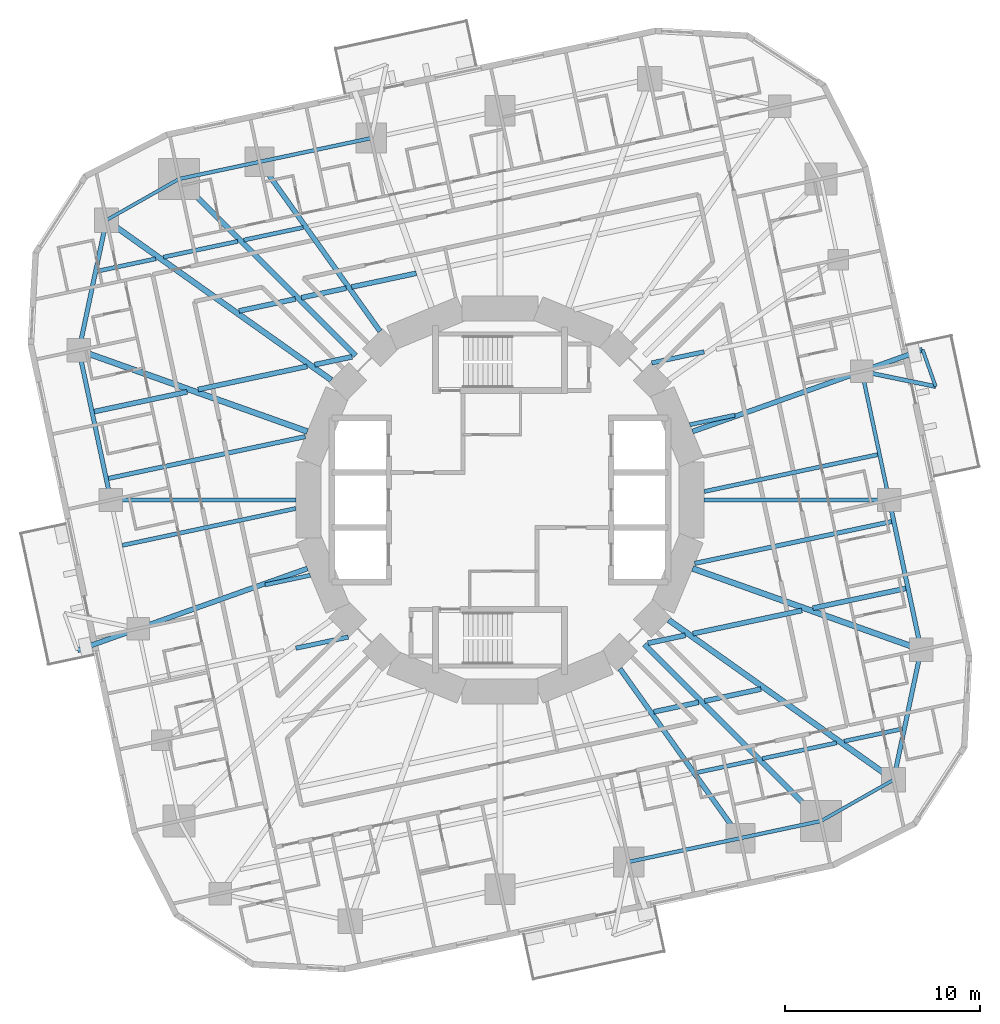
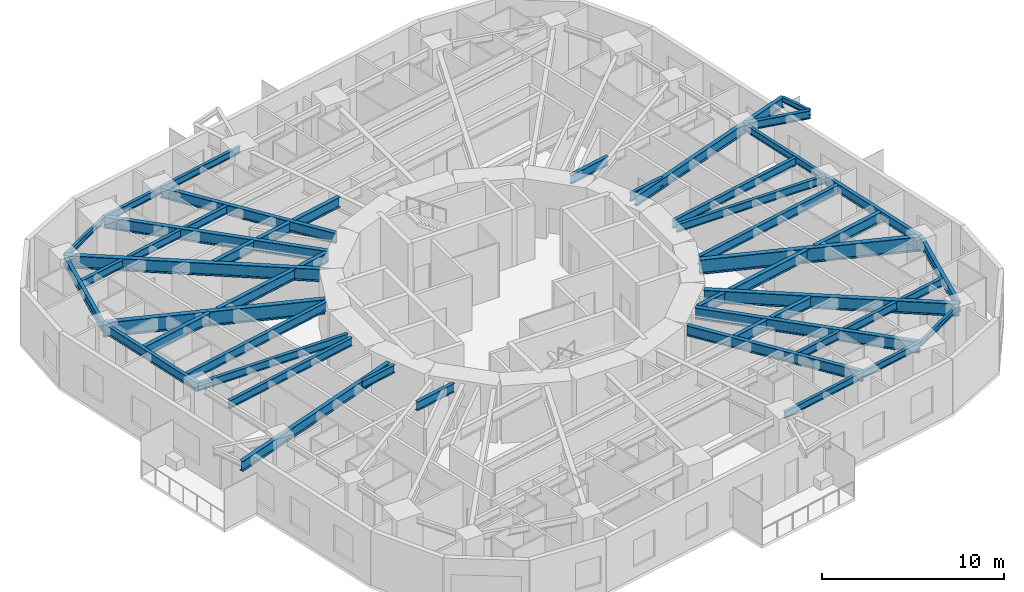
# One storey, part 2 of 14: 50 beams.
"""IFC4 building model written with IfcOpenShell, lengths in metres."""

from ifc_helpers import new_model, si_unit, direction, frame, origin, origin_2d, place, context, subcontext, project, spatial, i_section, extrude, material, material_profile, profile_set, type_object, element, save


model = new_model("IFC4")

# Units and contexts
model_context = context("Model", 3, precision=1e-05, world=origin(), true_north=direction((0.0, 1.0)))
body_context = subcontext(model_context, "Body", "Model", "MODEL_VIEW")
ifc_project = project(units=[si_unit("LENGTHUNIT", "METRE"), si_unit("AREAUNIT", "SQUARE_METRE"), si_unit("VOLUMEUNIT", "CUBIC_METRE"), si_unit("PLANEANGLEUNIT", "RADIAN"), si_unit("MASSUNIT", "GRAM", prefix="KILO")], contexts=[model_context])

# Site, building, storey
site_placement = place(None, origin())
site = spatial("IfcSite", under=ifc_project, at=site_placement, CompositionType="ELEMENT")
building_placement = place(site_placement, origin())
building = spatial("IfcBuilding", under=site, at=building_placement, Name="Nakasero Lantern House", CompositionType="ELEMENT")
storey_placement = place(building_placement, frame((0.0, 0.0, 105.0)))
storey = spatial("IfcBuildingStorey", under=building, at=storey_placement, Name="L25", CompositionType="ELEMENT", Elevation=105.0)

# Beams
ifc_material_1 = material(Name="Steel S355", Category="steel")
ifc_material_profile_1 = material_profile(ifc_material_1, i_section(OverallWidth=0.2138671875, OverallDepth=0.549072265625, WebThickness=0.0146484375, FlangeThickness=0.023681640625, FilletRadius=0.0126953125, at=origin_2d()), Name="UB 533x210x138")
ifc_profile_set_1 = profile_set([ifc_material_profile_1], Name="Steel S355")
beam_type_1 = type_object("IfcBeamType", Name="Balcony splay beam UB 533x210x138", PredefinedType="BEAM", material=ifc_profile_set_1)
beam_1_placement = place(storey_placement, frame((18.534912109375, 6.590087890625, 3.37548828125), z_axis=(0.979420272605, -0.201831438605, 0.0), x_axis=(0.201831438605, 0.979420272605, 0.0)))
element("IfcBeam", 1, at=beam_1_placement, inside=storey, type_object=beam_type_1, Name="Balcony splay beam L26 B3-C04A", PredefinedType="BEAM", context=body_context, shape_type="SweptSolid", body=[
    extrude(i_section(OverallWidth=0.2138671875, OverallDepth=0.549072265625, WebThickness=0.0146484375, FlangeThickness=0.023681640625, FilletRadius=0.0126953125, at=origin_2d()), origin(), (0.0, 0.0, 1.0), 3.858642578125),
])
ifc_material_2 = material(Name="Steel S355", Category="steel")
ifc_material_profile_2 = material_profile(ifc_material_2, i_section(OverallWidth=0.17138671875, OverallDepth=0.35498046875, WebThickness=0.00732421875, FlangeThickness=0.011474609375, FilletRadius=0.01025390625, at=origin_2d()), Name="UB 356x171x51")
ifc_profile_set_2 = profile_set([ifc_material_profile_2], Name="Steel S355")
beam_type_2 = type_object("IfcBeamType", Name="Balcony tie beam UB 356x171x51", PredefinedType="BEAM", material=ifc_profile_set_2)
beam_2_placement = place(storey_placement, frame((22.314208984375, 5.811279296875, 3.472412109375), z_axis=(-0.335060236487, 0.942196708721, 0.0), x_axis=(-0.942196708721, -0.335060236487, 0.0)))
element("IfcBeam", 2, at=beam_2_placement, inside=storey, type_object=beam_type_2, Name="Balcony tie beam L26 B3-C04", PredefinedType="BEAM", context=body_context, shape_type="SweptSolid", body=[
    extrude(i_section(OverallWidth=0.17138671875, OverallDepth=0.35498046875, WebThickness=0.00732421875, FlangeThickness=0.011474609375, FilletRadius=0.01025390625, at=origin_2d()), origin(), (0.0, 0.0, 1.0), 2.000244140625),
])
ifc_material_3 = material(Name="Steel S355", Category="steel")
ifc_material_profile_3 = material_profile(ifc_material_3, i_section(OverallWidth=0.2099609375, OverallDepth=0.53662109375, WebThickness=0.0107421875, FlangeThickness=0.017333984375, FilletRadius=0.0126953125, at=origin_2d()), Name="UB 533x210x101")
ifc_profile_set_3 = profile_set([ifc_material_profile_3], Name="Steel S355")
beam_type_3 = type_object("IfcBeamType", Name="Infill beam UB 533x210x101", PredefinedType="JOIST", material=ifc_profile_set_3)
beam_3_placement = place(storey_placement, frame((10.0830078125, -13.958740234375, 3.381591796875), z_axis=(0.97813788874, 0.207957376908, 0.0), x_axis=(-0.207957376908, 0.97813788874, 0.0)))
element("IfcBeam", 3, at=beam_3_placement, inside=storey, type_object=beam_type_3, Name="Infill beam L26 03.5", PredefinedType="JOIST", context=body_context, shape_type="SweptSolid", body=[
    extrude(i_section(OverallWidth=0.2099609375, OverallDepth=0.53662109375, WebThickness=0.0107421875, FlangeThickness=0.017333984375, FilletRadius=0.0126953125, at=origin_2d()), origin(), (0.0, 0.0, 1.0), 3.108642578125),
])
beam_4_placement = place(storey_placement, frame((13.434814453125, -13.24609375, 3.381591796875), z_axis=(0.978152946383, 0.207886539924, 0.0), x_axis=(-0.207886539924, 0.978152946383, 0.0)))
element("IfcBeam", 4, at=beam_4_placement, inside=storey, type_object=beam_type_3, Name="Infill beam L26 03.6", PredefinedType="JOIST", context=body_context, shape_type="SweptSolid", body=[
    extrude(i_section(OverallWidth=0.2099609375, OverallDepth=0.53662109375, WebThickness=0.0107421875, FlangeThickness=0.017333984375, FilletRadius=0.0126953125, at=origin_2d()), origin(), (0.0, 0.0, 1.0), 3.888427734375),
])
beam_5_placement = place(storey_placement, frame((17.626708984375, -12.355224609375, 3.381591796875), z_axis=(0.978152299812, 0.207889582165, 0.0), x_axis=(-0.207889582165, 0.978152299812, 0.0)))
element("IfcBeam", 5, at=beam_5_placement, inside=storey, type_object=beam_type_3, Name="Infill beam L26 03.7", PredefinedType="JOIST", context=body_context, shape_type="SweptSolid", body=[
    extrude(i_section(OverallWidth=0.2099609375, OverallDepth=0.53662109375, WebThickness=0.0107421875, FlangeThickness=0.017333984375, FilletRadius=0.0126953125, at=origin_2d()), origin(), (0.0, 0.0, 1.0), 3.031005859375),
])
beam_6_placement = place(storey_placement, frame((-12.030029296875, -4.34619140625, 3.381591796875), z_axis=(0.97814938161, 0.207903312278, 0.0), x_axis=(-0.207903312278, 0.97814938161, 0.0)))
element("IfcBeam", 6, at=beam_6_placement, inside=storey, type_object=beam_type_3, Name="Infill beam L26 07.1", PredefinedType="JOIST", context=body_context, shape_type="SweptSolid", body=[
    extrude(i_section(OverallWidth=0.2099609375, OverallDepth=0.53662109375, WebThickness=0.0107421875, FlangeThickness=0.017333984375, FilletRadius=0.0126953125, at=origin_2d()), origin(), (0.0, 0.0, 1.0), 2.359130859375),
])
for number, where, z_axis, x_axis, name in (
    (7, (10.457763671875, 0.433837890625, 3.381591796875), (0.978146760676, 0.207915642939, 0.0), (-0.207915642939, 0.978146760676, 0.0), "Infill beam L26 07.2"),
    (8, (-19.34423828125, -2.32275390625, 3.381591796875), (0.978146760676, 0.207915642939, 0.0), (-0.207915642939, 0.978146760676, 0.0), "Infill beam L26 08.1"),
):
    element("IfcBeam", number, at=place(storey_placement, frame(where, z_axis=z_axis, x_axis=x_axis)), inside=storey, type_object=beam_type_3, Name=name, PredefinedType="JOIST", context=body_context, shape_type="SweptSolid", body=[
        extrude(i_section(OverallWidth=0.2099609375, OverallDepth=0.53662109375, WebThickness=0.0107421875, FlangeThickness=0.017333984375, FilletRadius=0.0126953125, at=origin_2d()), origin(), (0.0, 0.0, 1.0), 9.0849609375),
    ])
beam_7_placement = place(storey_placement, frame((9.722412109375, 3.855712890625, 3.381591796875), z_axis=(0.97814938161, 0.207903312278, 0.0), x_axis=(-0.207903312278, 0.97814938161, 0.0)))
element("IfcBeam", 9, at=beam_7_placement, inside=storey, type_object=beam_type_3, Name="Infill beam L26 08.2", PredefinedType="JOIST", context=body_context, shape_type="SweptSolid", body=[
    extrude(i_section(OverallWidth=0.2099609375, OverallDepth=0.53662109375, WebThickness=0.0107421875, FlangeThickness=0.017333984375, FilletRadius=0.0126953125, at=origin_2d()), origin(), (0.0, 0.0, 1.0), 2.359130859375),
])
beam_8_placement = place(storey_placement, frame((-20.591552734375, 11.72509765625, 3.381591796875), z_axis=(0.978152299812, 0.207889582165, 0.0), x_axis=(-0.207889582165, 0.978152299812, 0.0)))
element("IfcBeam", 10, at=beam_8_placement, inside=storey, type_object=beam_type_3, Name="Infill beam L26 12.1", PredefinedType="JOIST", context=body_context, shape_type="SweptSolid", body=[
    extrude(i_section(OverallWidth=0.2099609375, OverallDepth=0.53662109375, WebThickness=0.0107421875, FlangeThickness=0.017333984375, FilletRadius=0.0126953125, at=origin_2d()), origin(), (0.0, 0.0, 1.0), 3.031005859375),
])
beam_9_placement = place(storey_placement, frame((-17.23828125, 12.437744140625, 3.381591796875), z_axis=(0.978152946383, 0.207886539924, 0.0), x_axis=(-0.207886539924, 0.978152946383, 0.0)))
element("IfcBeam", 11, at=beam_9_placement, inside=storey, type_object=beam_type_3, Name="Infill beam L26 12.2", PredefinedType="JOIST", context=body_context, shape_type="SweptSolid", body=[
    extrude(i_section(OverallWidth=0.2099609375, OverallDepth=0.53662109375, WebThickness=0.0107421875, FlangeThickness=0.017333984375, FilletRadius=0.0126953125, at=origin_2d()), origin(), (0.0, 0.0, 1.0), 3.888427734375),
])
beam_10_placement = place(storey_placement, frame((-13.123779296875, 13.312255859375, 3.381591796875), z_axis=(0.97813788874, 0.207957376908, 0.0), x_axis=(-0.207957376908, 0.97813788874, 0.0)))
element("IfcBeam", 12, at=beam_10_placement, inside=storey, type_object=beam_type_3, Name="Infill beam L26 12.3", PredefinedType="JOIST", context=body_context, shape_type="SweptSolid", body=[
    extrude(i_section(OverallWidth=0.2099609375, OverallDepth=0.53662109375, WebThickness=0.0107421875, FlangeThickness=0.017333984375, FilletRadius=0.0126953125, at=origin_2d()), origin(), (0.0, 0.0, 1.0), 3.108642578125),
])
ifc_material_4 = material(Name="Steel S355", Category="steel")
ifc_material_profile_4 = material_profile(ifc_material_4, i_section(OverallWidth=0.2275390625, OverallDepth=0.6025390625, WebThickness=0.010498046875, FlangeThickness=0.014892578125, FilletRadius=0.0126953125, at=origin_2d()), Name="UB 610x229x101")
ifc_profile_set_4 = profile_set([ifc_material_profile_4], Name="Steel S355")
beam_type_4 = type_object("IfcBeamType", Name="Infill beam UB 610x229x101", PredefinedType="JOIST", material=ifc_profile_set_4)
beam_11_placement = place(storey_placement, frame((-10.453369140625, -7.58935546875, 3.3486328125), z_axis=(0.978139842642, 0.207948186423, 0.0), x_axis=(-0.207948186423, 0.978139842642, 0.0)))
element("IfcBeam", 13, at=beam_11_placement, inside=storey, type_object=beam_type_4, Name="Infill beam L26 06.2", PredefinedType="JOIST", context=body_context, shape_type="SweptSolid", body=[
    extrude(i_section(OverallWidth=0.2275390625, OverallDepth=0.6025390625, WebThickness=0.010498046875, FlangeThickness=0.014892578125, FilletRadius=0.0126953125, at=origin_2d()), origin(), (0.0, 0.0, 1.0), 2.74267578125),
])
for number, where, z_axis, x_axis, name in (
    (14, (9.974365234375, -3.2470703125, 3.3486328125), (0.978151564707, 0.207893040916, 0.0), (-0.207893040916, 0.978151564707, 0.0), "Infill beam L26 06.3"),
    (15, (-20.05419921875, 1.104736328125, 3.3486328125), (0.978151564707, 0.207893040916, 0.0), (-0.207893040916, 0.978151564707, 0.0), "Infill beam L26 09.1"),
):
    element("IfcBeam", number, at=place(storey_placement, frame(where, z_axis=z_axis, x_axis=x_axis)), inside=storey, type_object=beam_type_4, Name=name, PredefinedType="JOIST", context=body_context, shape_type="SweptSolid", body=[
        extrude(i_section(OverallWidth=0.2275390625, OverallDepth=0.6025390625, WebThickness=0.010498046875, FlangeThickness=0.014892578125, FilletRadius=0.0126953125, at=origin_2d()), origin(), (0.0, 0.0, 1.0), 10.304931640625),
    ])
beam_12_placement = place(storey_placement, frame((7.770751953125, 7.01904296875, 3.3486328125), z_axis=(0.978139842642, 0.207948186423, 0.0), x_axis=(-0.207948186423, 0.978139842642, 0.0)))
element("IfcBeam", 16, at=beam_12_placement, inside=storey, type_object=beam_type_4, Name="Infill beam L26 09.2", PredefinedType="JOIST", context=body_context, shape_type="SweptSolid", body=[
    extrude(i_section(OverallWidth=0.2275390625, OverallDepth=0.6025390625, WebThickness=0.010498046875, FlangeThickness=0.014892578125, FilletRadius=0.0126953125, at=origin_2d()), origin(), (0.0, 0.0, 1.0), 2.74267578125),
])
ifc_material_5 = material(Name="Steel S355", Category="steel")
ifc_material_profile_5 = material_profile(ifc_material_5, i_section(OverallWidth=0.253662109375, OverallDepth=0.68359375, WebThickness=0.012451171875, FlangeThickness=0.01904296875, FilletRadius=0.01513671875, at=origin_2d()), Name="UB 686x254x140")
ifc_profile_set_5 = profile_set([ifc_material_profile_5], Name="Steel S355")
beam_type_5 = type_object("IfcBeamType", Name="Infill beam UB 686x254x140", PredefinedType="JOIST", material=ifc_profile_set_5)
beam_13_placement = place(storey_placement, frame((7.872802734375, -10.850341796875, 3.308349609375), z_axis=(0.97813694426, 0.207961819271, 0.0), x_axis=(-0.207961819271, 0.97813694426, 0.0)))
element("IfcBeam", 17, at=beam_13_placement, inside=storey, type_object=beam_type_5, Name="Infill beam L26 04.5", PredefinedType="JOIST", context=body_context, shape_type="SweptSolid", body=[
    extrude(i_section(OverallWidth=0.253662109375, OverallDepth=0.68359375, WebThickness=0.012451171875, FlangeThickness=0.01904296875, FilletRadius=0.01513671875, at=origin_2d()), origin(), (0.0, 0.0, 1.0), 2.3515625),
])
for number, where, z_axis, x_axis, name in (
    (18, (10.48388671875, -10.295166015625, 3.308349609375), (0.978146839882, 0.207915270313, 0.0), (-0.207915270313, 0.978146839882, 0.0), "Infill beam L26 04.6"),
    (19, (-13.364501953125, 9.682861328125, 3.308349609375), (0.978146839882, 0.207915270313, 0.0), (-0.207915270313, 0.978146839882, 0.0), "Infill beam L26 11.1"),
):
    element("IfcBeam", number, at=place(storey_placement, frame(where, z_axis=z_axis, x_axis=x_axis)), inside=storey, type_object=beam_type_5, Name=name, PredefinedType="JOIST", context=body_context, shape_type="SweptSolid", body=[
        extrude(i_section(OverallWidth=0.253662109375, OverallDepth=0.68359375, WebThickness=0.012451171875, FlangeThickness=0.01904296875, FilletRadius=0.01513671875, at=origin_2d()), origin(), (0.0, 0.0, 1.0), 2.945068359375),
    ])
beam_14_placement = place(storey_placement, frame((-10.1728515625, 10.361328125, 3.308349609375), z_axis=(0.97813694426, 0.207961819271, 0.0), x_axis=(-0.207961819271, 0.97813694426, 0.0)))
element("IfcBeam", 20, at=beam_14_placement, inside=storey, type_object=beam_type_5, Name="Infill beam L26 11.2", PredefinedType="JOIST", context=body_context, shape_type="SweptSolid", body=[
    extrude(i_section(OverallWidth=0.253662109375, OverallDepth=0.68359375, WebThickness=0.012451171875, FlangeThickness=0.01904296875, FilletRadius=0.01513671875, at=origin_2d()), origin(), (0.0, 0.0, 1.0), 2.3515625),
])
beam_15_placement = place(storey_placement, frame((-7.60009765625, 10.908203125, 3.308349609375), z_axis=(0.978140889042, 0.207943264337, 0.0), x_axis=(-0.207943264337, 0.978140889042, 0.0)))
element("IfcBeam", 21, at=beam_15_placement, inside=storey, type_object=beam_type_5, Name="Infill beam L26 11.3", PredefinedType="JOIST", context=body_context, shape_type="SweptSolid", body=[
    extrude(i_section(OverallWidth=0.253662109375, OverallDepth=0.68359375, WebThickness=0.012451171875, FlangeThickness=0.01904296875, FilletRadius=0.01513671875, at=origin_2d()), origin(), (0.0, 0.0, 1.0), 3.385986328125),
])
ifc_material_6 = material(Name="Steel S355", Category="steel")
ifc_material_profile_6 = material_profile(ifc_material_6, i_section(OverallWidth=0.255859375, OverallDepth=0.69287109375, WebThickness=0.014404296875, FlangeThickness=0.023681640625, FilletRadius=0.01513671875, at=origin_2d()), Name="UB 686x254x170")
ifc_profile_set_6 = profile_set([ifc_material_profile_6], Name="Steel S355")
beam_type_6 = type_object("IfcBeamType", Name="Infill beam UB 686x254x170", PredefinedType="JOIST", material=ifc_profile_set_6)
beam_16_placement = place(storey_placement, frame((7.5771484375, -7.3349609375, 3.303466796875), z_axis=(0.978142670498, 0.207934884401, 0.0), x_axis=(-0.207934884401, 0.978142670498, 0.0)))
element("IfcBeam", 22, at=beam_16_placement, inside=storey, type_object=beam_type_6, Name="Infill beam L26 05.3", PredefinedType="JOIST", context=body_context, shape_type="SweptSolid", body=[
    extrude(i_section(OverallWidth=0.255859375, OverallDepth=0.69287109375, WebThickness=0.014404296875, FlangeThickness=0.023681640625, FilletRadius=0.01513671875, at=origin_2d()), origin(), (0.0, 0.0, 1.0), 1.9560546875),
])
beam_17_placement = place(storey_placement, frame((9.87890625, -6.845703125, 3.303466796875), z_axis=(0.978148855575, 0.207905787166, 0.0), x_axis=(-0.207905787166, 0.978148855575, 0.0)))
element("IfcBeam", 23, at=beam_17_placement, inside=storey, type_object=beam_type_6, Name="Infill beam L26 05.4", PredefinedType="JOIST", context=body_context, shape_type="SweptSolid", body=[
    extrude(i_section(OverallWidth=0.255859375, OverallDepth=0.69287109375, WebThickness=0.014404296875, FlangeThickness=0.023681640625, FilletRadius=0.01513671875, at=origin_2d()), origin(), (0.0, 0.0, 1.0), 5.711669921875),
])
for number, where, z_axis, x_axis, name in (
    (24, (16.026123046875, -5.5390625, 3.303466796875), (0.978141363358, 0.207941033198, 0.0), (-0.207941033198, 0.978141363358, 0.0), "Infill beam L26 05.5"),
    (25, (-20.78173828125, 4.528076171875, 3.303466796875), (0.978141363358, 0.207941033198, 0.0), (-0.207941033198, 0.978141363358, 0.0), "Infill beam L26 10.1"),
):
    element("IfcBeam", number, at=place(storey_placement, frame(where, z_axis=z_axis, x_axis=x_axis)), inside=storey, type_object=beam_type_6, Name=name, PredefinedType="JOIST", context=body_context, shape_type="SweptSolid", body=[
        extrude(i_section(OverallWidth=0.255859375, OverallDepth=0.69287109375, WebThickness=0.014404296875, FlangeThickness=0.023681640625, FilletRadius=0.01513671875, at=origin_2d()), origin(), (0.0, 0.0, 1.0), 4.86181640625),
    ])
beam_18_placement = place(storey_placement, frame((-15.4658203125, 5.658203125, 3.303466796875), z_axis=(0.978148855575, 0.207905787166, 0.0), x_axis=(-0.207905787166, 0.978148855575, 0.0)))
element("IfcBeam", 26, at=beam_18_placement, inside=storey, type_object=beam_type_6, Name="Infill beam L26 10.2", PredefinedType="JOIST", context=body_context, shape_type="SweptSolid", body=[
    extrude(i_section(OverallWidth=0.255859375, OverallDepth=0.69287109375, WebThickness=0.014404296875, FlangeThickness=0.023681640625, FilletRadius=0.01513671875, at=origin_2d()), origin(), (0.0, 0.0, 1.0), 5.711669921875),
])
beam_19_placement = place(storey_placement, frame((-9.490478515625, 6.92822265625, 3.303466796875), z_axis=(0.978142670498, 0.207934884401, 0.0), x_axis=(-0.207934884401, 0.978142670498, 0.0)))
element("IfcBeam", 27, at=beam_19_placement, inside=storey, type_object=beam_type_6, Name="Infill beam L26 10.3", PredefinedType="JOIST", context=body_context, shape_type="SweptSolid", body=[
    extrude(i_section(OverallWidth=0.255859375, OverallDepth=0.69287109375, WebThickness=0.014404296875, FlangeThickness=0.023681640625, FilletRadius=0.01513671875, at=origin_2d()), origin(), (0.0, 0.0, 1.0), 1.9560546875),
])
ifc_material_7 = material(Name="Steel S355", Category="steel")
ifc_material_profile_7 = material_profile(ifc_material_7, i_section(OverallWidth=0.300048828125, OverallDepth=0.97998046875, WebThickness=0.0166015625, FlangeThickness=0.02587890625, FilletRadius=0.030029296875, at=origin_2d()), Name="UB 1016x305x249")
ifc_profile_set_7 = profile_set([ifc_material_profile_7], Name="Steel S355")
beam_type_7 = type_object("IfcBeamType", Name="Primary beam UB 1016x305x249, span 12 to 15 m", PredefinedType="BEAM", material=ifc_profile_set_7)
for number, where, z_axis, x_axis, name in (
    (28, (21.5654296875, -7.667724609375, 3.159912109375), (-0.942213862739, 0.335011995103, 0.0), (-0.335011995103, -0.942213862739, 0.0), "Primary beam L26 B3-C02"),
    (29, (-21.5654296875, 7.667724609375, 3.159912109375), (0.942213862739, -0.335011995103, 0.0), (0.335011995103, 0.942213862739, 0.0), "Primary beam L26 B3-C14"),
):
    element("IfcBeam", number, at=place(storey_placement, frame(where, z_axis=z_axis, x_axis=x_axis)), inside=storey, type_object=beam_type_7, Name=name, PredefinedType="BEAM", context=body_context, shape_type="SweptSolid", body=[
        extrude(i_section(OverallWidth=0.300048828125, OverallDepth=0.97998046875, WebThickness=0.0166015625, FlangeThickness=0.02587890625, FilletRadius=0.030029296875, at=origin_2d()), origin(), (0.0, 0.0, 1.0), 12.41650390625),
    ])
ifc_material_8 = material(Name="Steel S355", Category="steel")
ifc_material_profile_8 = material_profile(ifc_material_8, i_section(OverallWidth=0.208740234375, OverallDepth=0.5283203125, WebThickness=0.009521484375, FlangeThickness=0.01318359375, FilletRadius=0.0126953125, at=origin_2d()), Name="UB 533x210x82")
ifc_profile_set_8 = profile_set([ifc_material_profile_8], Name="Steel S355")
beam_type_8 = type_object("IfcBeamType", Name="Primary beam UB 533x210x82, span 9 to 12 m", PredefinedType="BEAM", material=ifc_profile_set_8)
for number, where, z_axis, x_axis, name in (
    (30, (19.935546875, 0.0, 3.3857421875), (-1.0, 0.0, 0.0), (0.0, -1.0, 0.0), "Primary beam L26 B3-C03"),
    (31, (-19.935546875, 0.0, 3.3857421875), (1.0, 0.0, 0.0), (0.0, 1.0, 0.0), "Primary beam L26 B3-C15"),
):
    element("IfcBeam", number, at=place(storey_placement, frame(where, z_axis=z_axis, x_axis=x_axis)), inside=storey, type_object=beam_type_8, Name=name, PredefinedType="BEAM", context=body_context, shape_type="SweptSolid", body=[
        extrude(i_section(OverallWidth=0.208740234375, OverallDepth=0.5283203125, WebThickness=0.009521484375, FlangeThickness=0.01318359375, FilletRadius=0.0126953125, at=origin_2d()), origin(), (0.0, 0.0, 1.0), 9.477783203125),
    ])
ifc_material_9 = material(Name="Steel S355", Category="steel")
ifc_material_profile_9 = material_profile(ifc_material_9, i_section(OverallWidth=0.255859375, OverallDepth=0.69287109375, WebThickness=0.014404296875, FlangeThickness=0.023681640625, FilletRadius=0.01513671875, at=origin_2d()), Name="UB 686x254x170")
ifc_profile_set_9 = profile_set([ifc_material_profile_9], Name="Steel S355")
beam_type_9 = type_object("IfcBeamType", Name="Primary beam UB 686x254x170, span 9 to 12 m", PredefinedType="BEAM", material=ifc_profile_set_9)
beam_20_placement = place(storey_placement, frame((21.64404296875, 7.69580078125, 3.303466796875), z_axis=(-0.942210717159, -0.335020841845, 0.0), x_axis=(0.335020841845, -0.942210717159, 0.0)))
element("IfcBeam", 32, at=beam_20_placement, inside=storey, type_object=beam_type_9, Name="Primary beam L26 B3-C04", PredefinedType="BEAM", context=body_context, shape_type="SweptSolid", body=[
    extrude(i_section(OverallWidth=0.255859375, OverallDepth=0.69287109375, WebThickness=0.014404296875, FlangeThickness=0.023681640625, FilletRadius=0.01513671875, at=origin_2d()), origin(), (0.0, 0.0, 1.0), 12.5),
])
beam_21_placement = place(storey_placement, frame((-12.31494140625, 17.318115234375, 3.303466796875), z_axis=(0.579520739774, -0.814957491022, 0.0), x_axis=(0.814957491022, 0.579520739774, 0.0)))
element("IfcBeam", 33, at=beam_21_placement, inside=storey, type_object=beam_type_9, Name="Primary beam L26 B3-C11", PredefinedType="BEAM", context=body_context, shape_type="SweptSolid", body=[
    extrude(i_section(OverallWidth=0.255859375, OverallDepth=0.69287109375, WebThickness=0.014404296875, FlangeThickness=0.023681640625, FilletRadius=0.01513671875, at=origin_2d()), origin(), (0.0, 0.0, 1.0), 10.64453125),
])
beam_22_placement = place(storey_placement, frame((-21.64404296875, -7.69580078125, 3.303466796875), z_axis=(0.942210717159, 0.335020841845, 0.0), x_axis=(-0.335020841845, 0.942210717159, 0.0)))
element("IfcBeam", 34, at=beam_22_placement, inside=storey, type_object=beam_type_9, Name="Primary beam L26 B3-C16", PredefinedType="BEAM", context=body_context, shape_type="SweptSolid", body=[
    extrude(i_section(OverallWidth=0.255859375, OverallDepth=0.69287109375, WebThickness=0.014404296875, FlangeThickness=0.023681640625, FilletRadius=0.01513671875, at=origin_2d()), origin(), (0.0, 0.0, 1.0), 12.5),
])
beam_23_placement = place(storey_placement, frame((12.31494140625, -17.318115234375, 3.303466796875), z_axis=(-0.579520739774, 0.814957491022, 0.0), x_axis=(-0.814957491022, -0.579520739774, 0.0)))
element("IfcBeam", 35, at=beam_23_placement, inside=storey, type_object=beam_type_9, Name="Primary beam L26 B3-C23", PredefinedType="BEAM", context=body_context, shape_type="SweptSolid", body=[
    extrude(i_section(OverallWidth=0.255859375, OverallDepth=0.69287109375, WebThickness=0.014404296875, FlangeThickness=0.023681640625, FilletRadius=0.01513671875, at=origin_2d()), origin(), (0.0, 0.0, 1.0), 10.64453125),
])
ifc_material_10 = material(Name="Steel S355", Category="steel")
ifc_material_profile_10 = material_profile(ifc_material_10, i_section(OverallWidth=0.2666015625, OverallDepth=0.76220703125, WebThickness=0.014404296875, FlangeThickness=0.021484375, FilletRadius=0.0166015625, at=origin_2d()), Name="UB 762x267x173")
ifc_profile_set_10 = profile_set([ifc_material_profile_10], Name="Steel S355")
beam_type_10 = type_object("IfcBeamType", Name="Primary beam UB 762x267x173, span 12 to 15 m", PredefinedType="BEAM", material=ifc_profile_set_10)
for number, where, z_axis, x_axis, name in (
    (36, (-16.44091796875, 16.44091796875, 3.268798828125), (0.707106781187, -0.707106781187, 0.0), (0.707106781187, 0.707106781187, 0.0), "Primary beam L26 B3-C12"),
    (37, (16.44091796875, -16.44091796875, 3.268798828125), (-0.707106781187, 0.707106781187, 0.0), (-0.707106781187, -0.707106781187, 0.0), "Primary beam L26 B3-C24"),
):
    element("IfcBeam", number, at=place(storey_placement, frame(where, z_axis=z_axis, x_axis=x_axis)), inside=storey, type_object=beam_type_10, Name=name, PredefinedType="BEAM", context=body_context, shape_type="SweptSolid", body=[
        extrude(i_section(OverallWidth=0.2666015625, OverallDepth=0.76220703125, WebThickness=0.014404296875, FlangeThickness=0.021484375, FilletRadius=0.0166015625, at=origin_2d()), origin(), (0.0, 0.0, 1.0), 12.793212890625),
    ])
ifc_material_11 = material(Name="Steel S355", Category="steel")
ifc_material_profile_11 = material_profile(ifc_material_11, i_section(OverallWidth=0.29248046875, OverallDepth=0.8408203125, WebThickness=0.0146484375, FlangeThickness=0.02685546875, FilletRadius=0.017822265625, at=origin_2d()), Name="UB 838x292x194")
ifc_profile_set_11 = profile_set([ifc_material_profile_11], Name="Steel S355")
beam_type_11 = type_object("IfcBeamType", Name="Primary beam UB 838x292x194, span 12 to 15 m", PredefinedType="BEAM", material=ifc_profile_set_11)
for number, where, z_axis, x_axis, name in (
    (38, (20.15625, -14.33349609375, 3.229736328125), (-0.814946074386, 0.57953679421, 0.0), (-0.57953679421, -0.814946074386, 0.0), "Primary beam L26 B3-C01"),
    (39, (-20.15625, 14.33349609375, 3.229736328125), (0.814946074386, -0.57953679421, 0.0), (0.57953679421, 0.814946074386, 0.0), "Primary beam L26 B3-C13"),
):
    element("IfcBeam", number, at=place(storey_placement, frame(where, z_axis=z_axis, x_axis=x_axis)), inside=storey, type_object=beam_type_11, Name=name, PredefinedType="BEAM", context=body_context, shape_type="SweptSolid", body=[
        extrude(i_section(OverallWidth=0.29248046875, OverallDepth=0.8408203125, WebThickness=0.0146484375, FlangeThickness=0.02685546875, FilletRadius=0.017822265625, at=origin_2d()), origin(), (0.0, 0.0, 1.0), 14.127197265625),
    ])
ifc_material_12 = material(Name="Steel S355", Category="steel")
ifc_material_profile_12 = material_profile(ifc_material_12, i_section(OverallWidth=0.17138671875, OverallDepth=0.35498046875, WebThickness=0.00732421875, FlangeThickness=0.011474609375, FilletRadius=0.01025390625, at=origin_2d()), Name="UB 356x171x51")
ifc_profile_set_12 = profile_set([ifc_material_profile_12], Name="Steel S355")
beam_type_12 = type_object("IfcBeamType", Name="Ring beam UB 356x171x51", PredefinedType="BEAM", material=ifc_profile_set_12)
for number, where, z_axis, x_axis, name in (
    (40, (-16.44091796875, 16.44091796875, 3.472412109375), (-0.869814536213, -0.493378832737, 0.0), (0.493378832737, -0.869814536213, 0.0), "Ring beam L26 B3-C12"),
    (41, (16.44091796875, -16.44091796875, 3.472412109375), (0.869814536213, 0.493378832737, 0.0), (-0.493378832737, 0.869814536213, 0.0), "Ring beam L26 B3-C24"),
):
    element("IfcBeam", number, at=place(storey_placement, frame(where, z_axis=z_axis, x_axis=x_axis)), inside=storey, type_object=beam_type_12, Name=name, PredefinedType="BEAM", context=body_context, shape_type="SweptSolid", body=[
        extrude(i_section(OverallWidth=0.17138671875, OverallDepth=0.35498046875, WebThickness=0.00732421875, FlangeThickness=0.011474609375, FilletRadius=0.01025390625, at=origin_2d()), origin(), (0.0, 0.0, 1.0), 4.271484375),
    ])
ifc_material_13 = material(Name="Steel S355", Category="steel")
ifc_material_profile_13 = material_profile(ifc_material_13, i_section(OverallWidth=0.19140625, OverallDepth=0.4599609375, WebThickness=0.010009765625, FlangeThickness=0.01611328125, FilletRadius=0.01025390625, at=origin_2d()), Name="UB 457x191x82")
ifc_profile_set_13 = profile_set([ifc_material_profile_13], Name="Steel S355")
beam_type_13 = type_object("IfcBeamType", Name="Ring beam UB 457x191x82", PredefinedType="BEAM", material=ifc_profile_set_13)
beam_24_placement = place(storey_placement, frame((19.935546875, 0.0, 3.419921875), z_axis=(-0.20789299389, 0.978151574702, 0.0), x_axis=(-0.978151574702, -0.20789299389, 0.0)))
element("IfcBeam", 42, at=beam_24_placement, inside=storey, type_object=beam_type_13, Name="Ring beam L26 B3-C03", PredefinedType="BEAM", context=body_context, shape_type="SweptSolid", body=[
    extrude(i_section(OverallWidth=0.19140625, OverallDepth=0.4599609375, WebThickness=0.010009765625, FlangeThickness=0.01611328125, FilletRadius=0.01025390625, at=origin_2d()), origin(), (0.0, 0.0, 1.0), 6.7373046875),
])
beam_25_placement = place(storey_placement, frame((-6.590087890625, 18.534912109375, 3.419921875), z_axis=(-0.978149626621, -0.207902159541, 0.0), x_axis=(0.207902159541, -0.978149626621, 0.0)))
element("IfcBeam", 43, at=beam_25_placement, inside=storey, type_object=beam_type_13, Name="Ring beam L26 B3-C10", PredefinedType="BEAM", context=body_context, shape_type="SweptSolid", body=[
    extrude(i_section(OverallWidth=0.19140625, OverallDepth=0.4599609375, WebThickness=0.010009765625, FlangeThickness=0.01611328125, FilletRadius=0.01025390625, at=origin_2d()), origin(), (0.0, 0.0, 1.0), 5.852783203125),
])
beam_26_placement = place(storey_placement, frame((-12.31494140625, 17.318115234375, 3.419921875), z_axis=(-0.978138252658, -0.207955665195, 0.0), x_axis=(0.207955665195, -0.978138252658, 0.0)))
element("IfcBeam", 44, at=beam_26_placement, inside=storey, type_object=beam_type_13, Name="Ring beam L26 B3-C11", PredefinedType="BEAM", context=body_context, shape_type="SweptSolid", body=[
    extrude(i_section(OverallWidth=0.19140625, OverallDepth=0.4599609375, WebThickness=0.010009765625, FlangeThickness=0.01611328125, FilletRadius=0.01025390625, at=origin_2d()), origin(), (0.0, 0.0, 1.0), 4.21826171875),
])
beam_27_placement = place(storey_placement, frame((6.590087890625, -18.534912109375, 3.419921875), z_axis=(0.978149626621, 0.207902159541, 0.0), x_axis=(-0.207902159541, 0.978149626621, 0.0)))
element("IfcBeam", 45, at=beam_27_placement, inside=storey, type_object=beam_type_13, Name="Ring beam L26 B3-C22", PredefinedType="BEAM", context=body_context, shape_type="SweptSolid", body=[
    extrude(i_section(OverallWidth=0.19140625, OverallDepth=0.4599609375, WebThickness=0.010009765625, FlangeThickness=0.01611328125, FilletRadius=0.01025390625, at=origin_2d()), origin(), (0.0, 0.0, 1.0), 5.852783203125),
])
beam_28_placement = place(storey_placement, frame((12.31494140625, -17.318115234375, 3.419921875), z_axis=(0.978138252658, 0.207955665195, 0.0), x_axis=(-0.207955665195, 0.978138252658, 0.0)))
element("IfcBeam", 46, at=beam_28_placement, inside=storey, type_object=beam_type_13, Name="Ring beam L26 B3-C23", PredefinedType="BEAM", context=body_context, shape_type="SweptSolid", body=[
    extrude(i_section(OverallWidth=0.19140625, OverallDepth=0.4599609375, WebThickness=0.010009765625, FlangeThickness=0.01611328125, FilletRadius=0.01025390625, at=origin_2d()), origin(), (0.0, 0.0, 1.0), 4.21826171875),
])
ifc_material_14 = material(Name="Steel S355", Category="steel")
ifc_material_profile_14 = material_profile(ifc_material_14, i_section(OverallWidth=0.2275390625, OverallDepth=0.6025390625, WebThickness=0.010498046875, FlangeThickness=0.014892578125, FilletRadius=0.0126953125, at=origin_2d()), Name="UB 610x229x101")
ifc_profile_set_14 = profile_set([ifc_material_profile_14], Name="Steel S355")
beam_type_14 = type_object("IfcBeamType", Name="Ring beam UB 610x229x101", PredefinedType="BEAM", material=ifc_profile_set_14)
beam_29_placement = place(storey_placement, frame((20.15625, -14.33349609375, 3.3486328125), z_axis=(0.206833925052, 0.978376066473, 0.0), x_axis=(-0.978376066473, 0.206833925052, 0.0)))
element("IfcBeam", 47, at=beam_29_placement, inside=storey, type_object=beam_type_14, Name="Ring beam L26 B3-C01", PredefinedType="BEAM", context=body_context, shape_type="SweptSolid", body=[
    extrude(i_section(OverallWidth=0.2275390625, OverallDepth=0.6025390625, WebThickness=0.010498046875, FlangeThickness=0.014892578125, FilletRadius=0.0126953125, at=origin_2d()), origin(), (0.0, 0.0, 1.0), 6.81298828125),
])
beam_30_placement = place(storey_placement, frame((21.5654296875, -7.667724609375, 3.3486328125), z_axis=(-0.207918725139, 0.978146105516, 0.0), x_axis=(-0.978146105516, -0.207918725139, 0.0)))
element("IfcBeam", 48, at=beam_30_placement, inside=storey, type_object=beam_type_14, Name="Ring beam L26 B3-C02", PredefinedType="BEAM", context=body_context, shape_type="SweptSolid", body=[
    extrude(i_section(OverallWidth=0.2275390625, OverallDepth=0.6025390625, WebThickness=0.010498046875, FlangeThickness=0.014892578125, FilletRadius=0.0126953125, at=origin_2d()), origin(), (0.0, 0.0, 1.0), 7.839111328125),
])
beam_31_placement = place(storey_placement, frame((-20.15625, 14.33349609375, 3.3486328125), z_axis=(-0.206833925052, -0.978376066473, 0.0), x_axis=(0.978376066473, -0.206833925052, 0.0)))
element("IfcBeam", 49, at=beam_31_placement, inside=storey, type_object=beam_type_14, Name="Ring beam L26 B3-C13", PredefinedType="BEAM", context=body_context, shape_type="SweptSolid", body=[
    extrude(i_section(OverallWidth=0.2275390625, OverallDepth=0.6025390625, WebThickness=0.010498046875, FlangeThickness=0.014892578125, FilletRadius=0.0126953125, at=origin_2d()), origin(), (0.0, 0.0, 1.0), 6.81298828125),
])
beam_32_placement = place(storey_placement, frame((-21.5654296875, 7.667724609375, 3.3486328125), z_axis=(0.207918725139, -0.978146105516, 0.0), x_axis=(0.978146105516, 0.207918725139, 0.0)))
element("IfcBeam", 50, at=beam_32_placement, inside=storey, type_object=beam_type_14, Name="Ring beam L26 B3-C14", PredefinedType="BEAM", context=body_context, shape_type="SweptSolid", body=[
    extrude(i_section(OverallWidth=0.2275390625, OverallDepth=0.6025390625, WebThickness=0.010498046875, FlangeThickness=0.014892578125, FilletRadius=0.0126953125, at=origin_2d()), origin(), (0.0, 0.0, 1.0), 7.839111328125),
])

save(model, "model.ifc")
